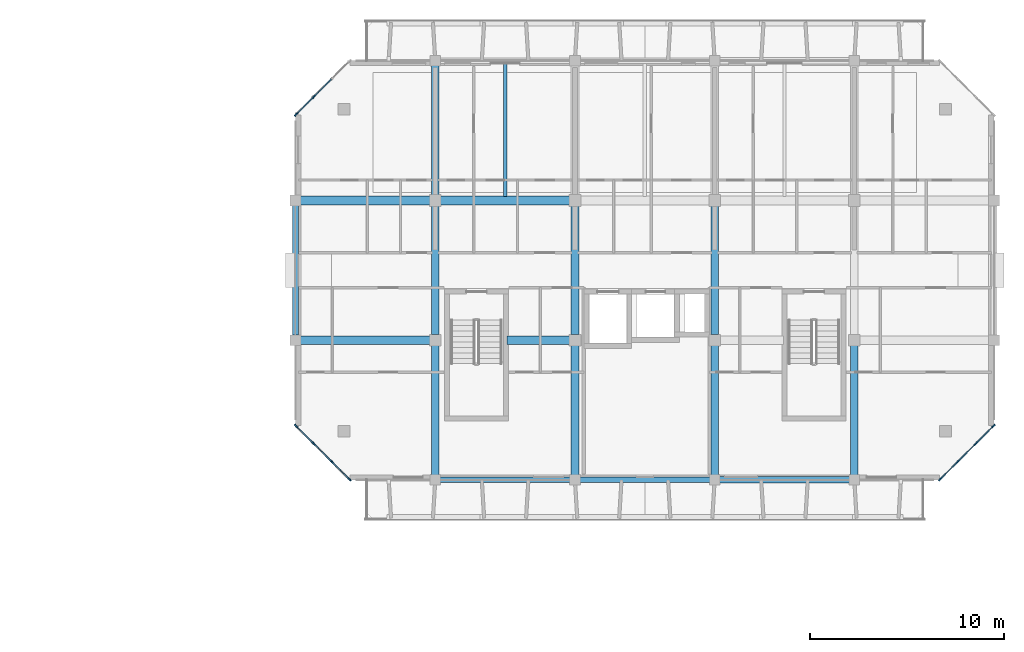
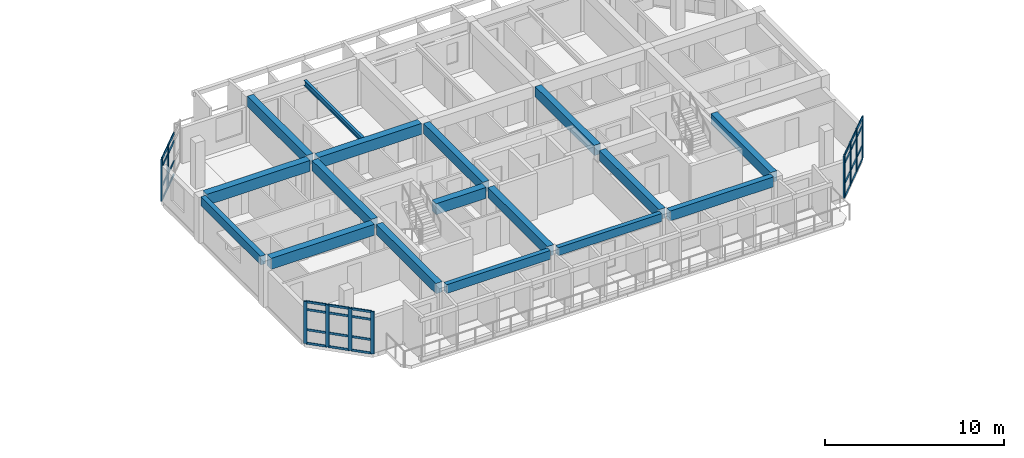
# One storey, part 8 of 43: 42 members, 17 beams, 3 elements without a shape of their own.
"""IFC4 building model written with IfcOpenShell, lengths in metres."""

from ifc_helpers import new_model, si_unit, direction, frame, origin, origin_2d, place, context, subcontext, project, spatial, rectangle, i_section, extrude, material, layer, layer_set, material_profile, profile_set, type_object, element, aggregate, save


model = new_model("IFC4")

# Units and contexts
model_context = context("Model", 3, precision=1e-05, world=origin(), true_north=direction((0.0, 1.0)))
body_context = subcontext(model_context, "Body", "Model", "MODEL_VIEW")
ifc_project = project(units=[si_unit("LENGTHUNIT", "METRE"), si_unit("AREAUNIT", "SQUARE_METRE"), si_unit("VOLUMEUNIT", "CUBIC_METRE"), si_unit("PLANEANGLEUNIT", "RADIAN"), si_unit("MASSUNIT", "GRAM", prefix="KILO")], contexts=[model_context])

# Site, building, storey
site_placement = place(None, origin())
site = spatial("IfcSite", under=ifc_project, at=site_placement, CompositionType="ELEMENT")
building_placement = place(site_placement, origin())
building = spatial("IfcBuilding", under=site, at=building_placement, Name="Ochrevale Crest", CompositionType="ELEMENT")
storey_placement = place(building_placement, frame((0.0, 0.0, 15.0)))
storey = spatial("IfcBuildingStorey", under=building, at=storey_placement, Name="L04", CompositionType="ELEMENT", Elevation=15.0)

# Beams
ifc_material_1 = material(Name="Precast concrete C50/60", Category="concrete")
ifc_material_profile_1 = material_profile(ifc_material_1, rectangle(XDim=0.39990234375, YDim=0.699951171875, at=origin_2d()), Name="PC 400x700")
ifc_profile_set_1 = profile_set([ifc_material_profile_1], Name="Precast concrete C50/60")
beam_type_1 = type_object("IfcBeamType", Name="BM-PC400x700", PredefinedType="BEAM", material=ifc_profile_set_1)
beam_1_placement = place(storey_placement, frame((136.800048828125, 72.2548828125, 2.800048828125), z_axis=(0.0, 1.0, 0.0), x_axis=(-1.0, 0.0, 0.0)))
element("IfcBeam", 1, at=beam_1_placement, inside=storey, type_object=beam_type_1, Name="Block D L04 N-S beam X=136.8", PredefinedType="BEAM", context=body_context, shape_type="SweptSolid", body=[
    extrude(rectangle(XDim=0.39990234375, YDim=0.699951171875, at=origin_2d()), origin(), (0.0, 0.0, 1.0), 6.6650390625),
])
beam_2_placement = place(storey_placement, frame((136.800048828125, 79.47998046875, 2.800048828125), z_axis=(0.0, 1.0, 0.0), x_axis=(-1.0, 0.0, 0.0)))
element("IfcBeam", 2, at=beam_2_placement, inside=storey, type_object=beam_type_1, Name="Block D L04 N-S beam X=136.8", PredefinedType="BEAM", context=body_context, shape_type="SweptSolid", body=[
    extrude(rectangle(XDim=0.39990234375, YDim=0.699951171875, at=origin_2d()), origin(), (0.0, 0.0, 1.0), 6.64013671875),
])
for number, where, z_axis, x_axis, name in (
    (3, (136.800048828125, 86.679931640625, 2.800048828125), (0.0, 1.0, 0.0), (-1.0, 0.0, 0.0), "Block D L04 N-S beam X=136.8"),
    (4, (144.0, 72.2548828125, 2.800048828125), (0.0, 1.0, 0.0), (-1.0, 0.0, 0.0), "Block D L04 N-S beam X=144.0"),
):
    element("IfcBeam", number, at=place(storey_placement, frame(where, z_axis=z_axis, x_axis=x_axis)), inside=storey, type_object=beam_type_1, Name=name, PredefinedType="BEAM", context=body_context, shape_type="SweptSolid", body=[
        extrude(rectangle(XDim=0.39990234375, YDim=0.699951171875, at=origin_2d()), origin(), (0.0, 0.0, 1.0), 6.6650390625),
    ])
beam_3_placement = place(storey_placement, frame((144.0, 79.47998046875, 2.800048828125), z_axis=(0.0, 1.0, 0.0), x_axis=(-1.0, 0.0, 0.0)))
element("IfcBeam", 5, at=beam_3_placement, inside=storey, type_object=beam_type_1, Name="Block D L04 N-S beam X=144.0", PredefinedType="BEAM", context=body_context, shape_type="SweptSolid", body=[
    extrude(rectangle(XDim=0.39990234375, YDim=0.699951171875, at=origin_2d()), origin(), (0.0, 0.0, 1.0), 6.64013671875),
])
beam_4_placement = place(storey_placement, frame((151.199951171875, 72.2548828125, 2.800048828125), z_axis=(0.0, 1.0, 0.0), x_axis=(-1.0, 0.0, 0.0)))
element("IfcBeam", 6, at=beam_4_placement, inside=storey, type_object=beam_type_1, Name="Block D L04 N-S beam X=151.2", PredefinedType="BEAM", context=body_context, shape_type="SweptSolid", body=[
    extrude(rectangle(XDim=0.39990234375, YDim=0.699951171875, at=origin_2d()), origin(), (0.0, 0.0, 1.0), 6.6650390625),
])
beam_5_placement = place(storey_placement, frame((151.199951171875, 79.47998046875, 2.800048828125), z_axis=(0.0, 1.0, 0.0), x_axis=(-1.0, 0.0, 0.0)))
element("IfcBeam", 7, at=beam_5_placement, inside=storey, type_object=beam_type_1, Name="Block D L04 N-S beam X=151.2", PredefinedType="BEAM", context=body_context, shape_type="SweptSolid", body=[
    extrude(rectangle(XDim=0.39990234375, YDim=0.699951171875, at=origin_2d()), origin(), (0.0, 0.0, 1.0), 6.64013671875),
])
beam_6_placement = place(storey_placement, frame((158.39990234375, 72.2548828125, 2.800048828125), z_axis=(0.0, 1.0, 0.0), x_axis=(-1.0, 0.0, 0.0)))
element("IfcBeam", 8, at=beam_6_placement, inside=storey, type_object=beam_type_1, Name="Block D L04 N-S beam X=158.4", PredefinedType="BEAM", context=body_context, shape_type="SweptSolid", body=[
    extrude(rectangle(XDim=0.39990234375, YDim=0.699951171875, at=origin_2d()), origin(), (0.0, 0.0, 1.0), 6.6650390625),
])
ifc_material_2 = material(Name="Concrete C50/60", Category="concrete")
ifc_material_profile_2 = material_profile(ifc_material_2, rectangle(XDim=0.449951171875, YDim=0.75, at=origin_2d()), Name="RC 450x750")
ifc_profile_set_2 = profile_set([ifc_material_profile_2], Name="Concrete C50/60")
beam_type_2 = type_object("IfcBeamType", Name="BM-PG450x750", PredefinedType="USERDEFINED", material=ifc_profile_set_2)
beam_7_placement = place(storey_placement, frame((129.85009765625, 79.199951171875, 2.77490234375), z_axis=(1.0, 0.0, 0.0), x_axis=(0.0, 1.0, 0.0)))
element("IfcBeam", 9, at=beam_7_placement, inside=storey, type_object=beam_type_2, Name="Block D L04 E-W beam Y=79.2", ObjectType="GIRDER", PredefinedType="USERDEFINED", context=body_context, shape_type="SweptSolid", body=[
    extrude(rectangle(XDim=0.449951171875, YDim=0.75, at=origin_2d()), origin(), (0.0, 0.0, 1.0), 6.6748046875),
])
beam_8_placement = place(storey_placement, frame((140.489990234375, 79.199951171875, 2.77490234375), z_axis=(1.0, 0.0, 0.0), x_axis=(0.0, 1.0, 0.0)))
element("IfcBeam", 10, at=beam_8_placement, inside=storey, type_object=beam_type_2, Name="Block D L04 E-W beam Y=79.2", ObjectType="GIRDER", PredefinedType="USERDEFINED", context=body_context, shape_type="SweptSolid", body=[
    extrude(rectangle(XDim=0.449951171875, YDim=0.75, at=origin_2d()), origin(), (0.0, 0.0, 1.0), 3.235107421875),
])
beam_9_placement = place(storey_placement, frame((129.85009765625, 86.39990234375, 2.77490234375), z_axis=(1.0, 0.0, 0.0), x_axis=(0.0, 1.0, 0.0)))
element("IfcBeam", 11, at=beam_9_placement, inside=storey, type_object=beam_type_2, Name="Block D L04 E-W beam Y=86.4", ObjectType="GIRDER", PredefinedType="USERDEFINED", context=body_context, shape_type="SweptSolid", body=[
    extrude(rectangle(XDim=0.449951171875, YDim=0.75, at=origin_2d()), origin(), (0.0, 0.0, 1.0), 6.6748046875),
])
beam_10_placement = place(storey_placement, frame((137.074951171875, 86.39990234375, 2.77490234375), z_axis=(1.0, 0.0, 0.0), x_axis=(0.0, 1.0, 0.0)))
element("IfcBeam", 12, at=beam_10_placement, inside=storey, type_object=beam_type_2, Name="Block D L04 E-W beam Y=86.4", ObjectType="GIRDER", PredefinedType="USERDEFINED", context=body_context, shape_type="SweptSolid", body=[
    extrude(rectangle(XDim=0.449951171875, YDim=0.75, at=origin_2d()), origin(), (0.0, 0.0, 1.0), 6.650146484375),
])
ifc_material_3 = material(Name="Precast concrete C40/50", Category="concrete")
ifc_material_profile_3 = material_profile(ifc_material_3, rectangle(XDim=0.280029296875, YDim=0.550048828125, at=origin_2d()), Name="PC 280x550")
ifc_profile_set_3 = profile_set([ifc_material_profile_3], Name="Precast concrete C40/50")
beam_type_3 = type_object("IfcBeamType", Name="BM-SP280x550", PredefinedType="SPANDREL", material=ifc_profile_set_3)
beam_11_placement = place(storey_placement, frame((144.25, 72.0, 2.875), z_axis=(1.0, 0.0, 0.0), x_axis=(0.0, 1.0, 0.0)))
element("IfcBeam", 13, at=beam_11_placement, inside=storey, type_object=beam_type_3, Name="Block D L04 E-W beam Y=72.0", PredefinedType="SPANDREL", context=body_context, shape_type="SweptSolid", body=[
    extrude(rectangle(XDim=0.280029296875, YDim=0.550048828125, at=origin_2d()), origin(), (0.0, 0.0, 1.0), 6.699951171875),
])
ifc_material_profile_4 = material_profile(ifc_material_3, rectangle(XDim=0.300048828125, YDim=0.60009765625, at=origin_2d()), Name="PC 300x600")
ifc_profile_set_4 = profile_set([ifc_material_profile_4], Name="Precast concrete C40/50")
beam_type_4 = type_object("IfcBeamType", Name="BM-SP300x600", PredefinedType="SPANDREL", material=ifc_profile_set_4)
beam_12_placement = place(storey_placement, frame((137.050048828125, 72.0, 2.85009765625), z_axis=(1.0, 0.0, 0.0), x_axis=(0.0, 1.0, 0.0)))
element("IfcBeam", 14, at=beam_12_placement, inside=storey, type_object=beam_type_4, Name="Block D L04 E-W beam Y=72.0", PredefinedType="SPANDREL", context=body_context, shape_type="SweptSolid", body=[
    extrude(rectangle(XDim=0.300048828125, YDim=0.60009765625, at=origin_2d()), origin(), (0.0, 0.0, 1.0), 6.699951171875),
])
beam_13_placement = place(storey_placement, frame((129.60009765625, 79.455078125, 2.85009765625), z_axis=(0.0, 1.0, 0.0), x_axis=(-1.0, 0.0, 0.0)))
element("IfcBeam", 15, at=beam_13_placement, inside=storey, type_object=beam_type_4, Name="Block D L04 N-S beam X=129.6", PredefinedType="SPANDREL", context=body_context, shape_type="SweptSolid", body=[
    extrude(rectangle(XDim=0.300048828125, YDim=0.60009765625, at=origin_2d()), origin(), (0.0, 0.0, 1.0), 6.68994140625),
])
ifc_material_profile_5 = material_profile(ifc_material_3, rectangle(XDim=0.35009765625, YDim=0.679931640625, at=origin_2d()), Name="PC 350x680")
ifc_profile_set_5 = profile_set([ifc_material_profile_5], Name="Precast concrete C40/50")
beam_type_5 = type_object("IfcBeamType", Name="BM-SP350x680", PredefinedType="SPANDREL", material=ifc_profile_set_5)
beam_14_placement = place(storey_placement, frame((151.449951171875, 72.0, 2.81005859375), z_axis=(1.0, 0.0, 0.0), x_axis=(0.0, 1.0, 0.0)))
element("IfcBeam", 16, at=beam_14_placement, inside=storey, type_object=beam_type_5, Name="Block D L04 E-W beam Y=72.0", PredefinedType="SPANDREL", context=body_context, shape_type="SweptSolid", body=[
    extrude(rectangle(XDim=0.35009765625, YDim=0.679931640625, at=origin_2d()), origin(), (0.0, 0.0, 1.0), 6.699951171875),
])
ifc_material_4 = material(Name="Steel S355", Category="steel")
ifc_material_profile_6 = material_profile(ifc_material_4, i_section(OverallWidth=0.17138671875, OverallDepth=0.355712890625, WebThickness=0.00732421875, FlangeThickness=0.011474609375, FilletRadius=0.011474609375, at=origin_2d()), Name="360UB50.7")
ifc_profile_set_6 = profile_set([ifc_material_profile_6], Name="Steel S355")
beam_type_6 = type_object("IfcBeamType", Name="BM-UB360A", PredefinedType="BEAM", material=ifc_profile_set_6)
beam_15_placement = place(storey_placement, frame((140.39990234375, 86.613037109375, 2.697265625), z_axis=(0.0, 1.0, 0.0), x_axis=(-1.0, 0.0, 0.0)))
element("IfcBeam", 17, at=beam_15_placement, inside=storey, type_object=beam_type_6, Name="Block D L04 composite plank trimmer beam 2", PredefinedType="BEAM", context=body_context, shape_type="SweptSolid", body=[
    extrude(i_section(OverallWidth=0.17138671875, OverallDepth=0.355712890625, WebThickness=0.00732421875, FlangeThickness=0.011474609375, FilletRadius=0.011474609375, at=origin_2d()), origin(), (0.0, 0.0, 1.0), 6.848876953125),
])

# Curtain wall, members
ifc_material_5 = material(Name="Anodised aluminium 6063-T5", Category="aluminium")
ifc_layer_1 = layer(ifc_material_5, 0.14990234375)
ifc_layer_set_1 = layer_set([ifc_layer_1], Name="Anodised aluminium 6063-T5")
curtain_wall_type_1 = type_object("IfcCurtainWallType", Name="CW-WG-280x285", PredefinedType="NOTDEFINED", material=ifc_layer_set_1)
curtain_wall_1_placement = place(storey_placement, origin())
curtain_wall_1 = element("IfcCurtainWall", 18, at=curtain_wall_1_placement, inside=storey, type_object=curtain_wall_type_1, Name="Block D L04 chamfered corner wintergarden curtain wall 2", PredefinedType="NOTDEFINED")
ifc_material_profile_7 = material_profile(ifc_material_5, rectangle(XDim=0.074951171875, YDim=0.219970703125, at=origin_2d()), Name="ALU 75x220")
ifc_profile_set_7 = profile_set([ifc_material_profile_7], Name="Anodised aluminium 6063-T5")
member_type_1 = type_object("IfcMemberType", Name="CW-MUL-75x220", PredefinedType="MULLION", material=ifc_profile_set_7)
member_1_placement = place(storey_placement, frame((162.826416015625, 72.026611328125, 0.0), z_axis=(0.0, 0.0, 1.0), x_axis=(-0.707106781187, 0.707106781187, 0.0)))
member_1 = element("IfcMember", 19, at=member_1_placement, type_object=member_type_1, Name="CW16 mullion 1", PredefinedType="MULLION", context=body_context, shape_type="SweptSolid", body=[
    extrude(rectangle(XDim=0.074951171875, YDim=0.219970703125, at=origin_2d()), origin(), (0.0, 0.0, 1.0), 2.875),
])
member_2_placement = place(storey_placement, frame((163.7333984375, 72.933349609375, 0.0), z_axis=(0.0, 0.0, 1.0), x_axis=(-0.707106781187, 0.707106781187, 0.0)))
member_2 = element("IfcMember", 20, at=member_2_placement, type_object=member_type_1, Name="CW16 mullion 2", PredefinedType="MULLION", context=body_context, shape_type="SweptSolid", body=[
    extrude(rectangle(XDim=0.074951171875, YDim=0.219970703125, at=origin_2d()), origin(), (0.0, 0.0, 1.0), 2.875),
])
member_3_placement = place(storey_placement, frame((164.666748046875, 73.86669921875, 0.0), z_axis=(0.0, 0.0, 1.0), x_axis=(-0.707106781187, 0.707106781187, 0.0)))
member_3 = element("IfcMember", 21, at=member_3_placement, type_object=member_type_1, Name="CW16 mullion 3", PredefinedType="MULLION", context=body_context, shape_type="SweptSolid", body=[
    extrude(rectangle(XDim=0.074951171875, YDim=0.219970703125, at=origin_2d()), origin(), (0.0, 0.0, 1.0), 2.875),
])
member_4_placement = place(storey_placement, frame((165.573486328125, 74.7734375, 0.0), z_axis=(0.0, 0.0, 1.0), x_axis=(-0.707106781187, 0.707106781187, 0.0)))
member_4 = element("IfcMember", 22, at=member_4_placement, type_object=member_type_1, Name="CW16 mullion 4", PredefinedType="MULLION", context=body_context, shape_type="SweptSolid", body=[
    extrude(rectangle(XDim=0.074951171875, YDim=0.219970703125, at=origin_2d()), origin(), (0.0, 0.0, 1.0), 2.875),
])

ifc_layer_2 = layer(ifc_material_5, 0.14990234375)
ifc_layer_set_2 = layer_set([ifc_layer_2], Name="Anodised aluminium 6063-T5")
curtain_wall_type_2 = type_object("IfcCurtainWallType", Name="CW-WG-240x285", PredefinedType="NOTDEFINED", material=ifc_layer_set_2)
curtain_wall_2_placement = place(storey_placement, origin())
curtain_wall_2 = element("IfcCurtainWall", 23, at=curtain_wall_2_placement, inside=storey, type_object=curtain_wall_type_2, Name="Block D L04 chamfered corner wintergarden curtain wall 6", PredefinedType="NOTDEFINED")
member_5_placement = place(storey_placement, frame((130.533447265625, 91.7333984375, 0.0), z_axis=(0.0, 0.0, 1.0), x_axis=(0.707106781187, -0.707106781187, 0.0)))
member_5 = element("IfcMember", 24, at=member_5_placement, type_object=member_type_1, Name="CW15 mullion 3", PredefinedType="MULLION", context=body_context, shape_type="SweptSolid", body=[
    extrude(rectangle(XDim=0.074951171875, YDim=0.219970703125, at=origin_2d()), origin(), (0.0, 0.0, 1.0), 2.875),
])
member_6_placement = place(storey_placement, frame((129.62646484375, 90.826416015625, 0.0), z_axis=(0.0, 0.0, 1.0), x_axis=(0.707106781187, -0.707106781187, 0.0)))
member_6 = element("IfcMember", 25, at=member_6_placement, type_object=member_type_1, Name="CW15 mullion 4", PredefinedType="MULLION", context=body_context, shape_type="SweptSolid", body=[
    extrude(rectangle(XDim=0.074951171875, YDim=0.219970703125, at=origin_2d()), origin(), (0.0, 0.0, 1.0), 2.875),
])

ifc_layer_3 = layer(ifc_material_5, 0.14990234375)
ifc_layer_set_3 = layer_set([ifc_layer_3], Name="Anodised aluminium 6063-T5")
curtain_wall_type_3 = type_object("IfcCurtainWallType", Name="CW-WG-320x285", PredefinedType="NOTDEFINED", material=ifc_layer_set_3)
curtain_wall_3_placement = place(storey_placement, origin())
curtain_wall_3 = element("IfcCurtainWall", 26, at=curtain_wall_3_placement, inside=storey, type_object=curtain_wall_type_3, Name="Block D L04 chamfered corner wintergarden curtain wall 8", PredefinedType="NOTDEFINED")
member_7_placement = place(storey_placement, frame((129.62646484375, 74.7734375, 0.0), z_axis=(0.0, 0.0, 1.0), x_axis=(0.707106781187, 0.707106781187, 0.0)))
member_7 = element("IfcMember", 27, at=member_7_placement, type_object=member_type_1, Name="CW17 mullion 1", PredefinedType="MULLION", context=body_context, shape_type="SweptSolid", body=[
    extrude(rectangle(XDim=0.074951171875, YDim=0.219970703125, at=origin_2d()), origin(), (0.0, 0.0, 1.0), 2.875),
])
member_8_placement = place(storey_placement, frame((130.533447265625, 73.86669921875, 0.0), z_axis=(0.0, 0.0, 1.0), x_axis=(0.707106781187, 0.707106781187, 0.0)))
member_8 = element("IfcMember", 28, at=member_8_placement, type_object=member_type_1, Name="CW17 mullion 2", PredefinedType="MULLION", context=body_context, shape_type="SweptSolid", body=[
    extrude(rectangle(XDim=0.074951171875, YDim=0.219970703125, at=origin_2d()), origin(), (0.0, 0.0, 1.0), 2.875),
])
member_9_placement = place(storey_placement, frame((131.466552734375, 72.933349609375, 0.0), z_axis=(0.0, 0.0, 1.0), x_axis=(0.707106781187, 0.707106781187, 0.0)))
member_9 = element("IfcMember", 29, at=member_9_placement, type_object=member_type_1, Name="CW17 mullion 3", PredefinedType="MULLION", context=body_context, shape_type="SweptSolid", body=[
    extrude(rectangle(XDim=0.074951171875, YDim=0.219970703125, at=origin_2d()), origin(), (0.0, 0.0, 1.0), 2.875),
])
member_10_placement = place(storey_placement, frame((132.37353515625, 72.026611328125, 0.0), z_axis=(0.0, 0.0, 1.0), x_axis=(0.707106781187, 0.707106781187, 0.0)))
member_10 = element("IfcMember", 30, at=member_10_placement, type_object=member_type_1, Name="CW17 mullion 4", PredefinedType="MULLION", context=body_context, shape_type="SweptSolid", body=[
    extrude(rectangle(XDim=0.074951171875, YDim=0.219970703125, at=origin_2d()), origin(), (0.0, 0.0, 1.0), 2.875),
])

# Member
ifc_material_profile_8 = material_profile(ifc_material_5, rectangle(XDim=0.06005859375, YDim=0.14990234375, at=origin_2d()), Name="ALU 60x150")
ifc_profile_set_8 = profile_set([ifc_material_profile_8], Name="Anodised aluminium 6063-T5")
member_type_2 = type_object("IfcMemberType", Name="CW-TRN-60x150", PredefinedType="USERDEFINED", material=ifc_profile_set_8)
member_11_placement = place(storey_placement, frame((162.85302734375, 72.052978515625, 0.030029296875), z_axis=(0.707106781187, 0.707106781187, 0.0), x_axis=(-0.707106781187, 0.707106781187, 0.0)))
member_11 = element("IfcMember", 31, at=member_11_placement, type_object=member_type_2, Name="CW16 transom 1.1", ObjectType="TRANSOM", PredefinedType="USERDEFINED", context=body_context, shape_type="SweptSolid", body=[
    extrude(rectangle(XDim=0.06005859375, YDim=0.14990234375, at=origin_2d()), origin(), (0.0, 0.0, 1.0), 1.20751953125),
])

member_12_placement = place(storey_placement, frame((162.85302734375, 72.052978515625, 0.949951171875), z_axis=(0.707106781187, 0.707106781187, 0.0), x_axis=(-0.707106781187, 0.707106781187, 0.0)))
member_12 = element("IfcMember", 32, at=member_12_placement, type_object=member_type_2, Name="CW16 transom 1.2", ObjectType="TRANSOM", PredefinedType="USERDEFINED", context=body_context, shape_type="SweptSolid", body=[
    extrude(rectangle(XDim=0.06005859375, YDim=0.14990234375, at=origin_2d()), origin(), (0.0, 0.0, 1.0), 1.20751953125),
])

member_13_placement = place(storey_placement, frame((162.85302734375, 72.052978515625, 2.324951171875), z_axis=(0.707106781187, 0.707106781187, 0.0), x_axis=(-0.707106781187, 0.707106781187, 0.0)))
member_13 = element("IfcMember", 33, at=member_13_placement, type_object=member_type_2, Name="CW16 transom 1.3", ObjectType="TRANSOM", PredefinedType="USERDEFINED", context=body_context, shape_type="SweptSolid", body=[
    extrude(rectangle(XDim=0.06005859375, YDim=0.14990234375, at=origin_2d()), origin(), (0.0, 0.0, 1.0), 1.20751953125),
])

member_14_placement = place(storey_placement, frame((162.85302734375, 72.052978515625, 2.844970703125), z_axis=(0.707106781187, 0.707106781187, 0.0), x_axis=(-0.707106781187, 0.707106781187, 0.0)))
member_14 = element("IfcMember", 34, at=member_14_placement, type_object=member_type_2, Name="CW16 transom 1.4", ObjectType="TRANSOM", PredefinedType="USERDEFINED", context=body_context, shape_type="SweptSolid", body=[
    extrude(rectangle(XDim=0.06005859375, YDim=0.14990234375, at=origin_2d()), origin(), (0.0, 0.0, 1.0), 1.20751953125),
])

member_15_placement = place(storey_placement, frame((163.759765625, 72.9599609375, 0.030029296875), z_axis=(0.707204833848, 0.707008714926, 0.0), x_axis=(-0.707008714926, 0.707204833848, 0.0)))
member_15 = element("IfcMember", 35, at=member_15_placement, type_object=member_type_2, Name="CW16 transom 2.1", ObjectType="TRANSOM", PredefinedType="USERDEFINED", context=body_context, shape_type="SweptSolid", body=[
    extrude(rectangle(XDim=0.06005859375, YDim=0.14990234375, at=origin_2d()), origin(), (0.0, 0.0, 1.0), 1.244873046875),
])

member_16_placement = place(storey_placement, frame((163.759765625, 72.9599609375, 0.949951171875), z_axis=(0.707204833848, 0.707008714926, 0.0), x_axis=(-0.707008714926, 0.707204833848, 0.0)))
member_16 = element("IfcMember", 36, at=member_16_placement, type_object=member_type_2, Name="CW16 transom 2.2", ObjectType="TRANSOM", PredefinedType="USERDEFINED", context=body_context, shape_type="SweptSolid", body=[
    extrude(rectangle(XDim=0.06005859375, YDim=0.14990234375, at=origin_2d()), origin(), (0.0, 0.0, 1.0), 1.244873046875),
])

member_17_placement = place(storey_placement, frame((163.759765625, 72.9599609375, 2.324951171875), z_axis=(0.707204833848, 0.707008714926, 0.0), x_axis=(-0.707008714926, 0.707204833848, 0.0)))
member_17 = element("IfcMember", 37, at=member_17_placement, type_object=member_type_2, Name="CW16 transom 2.3", ObjectType="TRANSOM", PredefinedType="USERDEFINED", context=body_context, shape_type="SweptSolid", body=[
    extrude(rectangle(XDim=0.06005859375, YDim=0.14990234375, at=origin_2d()), origin(), (0.0, 0.0, 1.0), 1.244873046875),
])

member_18_placement = place(storey_placement, frame((163.759765625, 72.9599609375, 2.844970703125), z_axis=(0.707204833848, 0.707008714926, 0.0), x_axis=(-0.707008714926, 0.707204833848, 0.0)))
member_18 = element("IfcMember", 38, at=member_18_placement, type_object=member_type_2, Name="CW16 transom 2.4", ObjectType="TRANSOM", PredefinedType="USERDEFINED", context=body_context, shape_type="SweptSolid", body=[
    extrude(rectangle(XDim=0.06005859375, YDim=0.14990234375, at=origin_2d()), origin(), (0.0, 0.0, 1.0), 1.244873046875),
])

member_19_placement = place(storey_placement, frame((164.693115234375, 73.89306640625, 0.030029296875), z_axis=(0.707005686502, 0.70720786142, 0.0), x_axis=(-0.70720786142, 0.707005686502, 0.0)))
member_19 = element("IfcMember", 39, at=member_19_placement, type_object=member_type_2, Name="CW16 transom 3.1", ObjectType="TRANSOM", PredefinedType="USERDEFINED", context=body_context, shape_type="SweptSolid", body=[
    extrude(rectangle(XDim=0.06005859375, YDim=0.14990234375, at=origin_2d()), origin(), (0.0, 0.0, 1.0), 1.20751953125),
])

member_20_placement = place(storey_placement, frame((164.693115234375, 73.89306640625, 0.949951171875), z_axis=(0.707005686502, 0.70720786142, 0.0), x_axis=(-0.70720786142, 0.707005686502, 0.0)))
member_20 = element("IfcMember", 40, at=member_20_placement, type_object=member_type_2, Name="CW16 transom 3.2", ObjectType="TRANSOM", PredefinedType="USERDEFINED", context=body_context, shape_type="SweptSolid", body=[
    extrude(rectangle(XDim=0.06005859375, YDim=0.14990234375, at=origin_2d()), origin(), (0.0, 0.0, 1.0), 1.20751953125),
])

member_21_placement = place(storey_placement, frame((164.693115234375, 73.89306640625, 2.324951171875), z_axis=(0.707005686502, 0.70720786142, 0.0), x_axis=(-0.70720786142, 0.707005686502, 0.0)))
member_21 = element("IfcMember", 41, at=member_21_placement, type_object=member_type_2, Name="CW16 transom 3.3", ObjectType="TRANSOM", PredefinedType="USERDEFINED", context=body_context, shape_type="SweptSolid", body=[
    extrude(rectangle(XDim=0.06005859375, YDim=0.14990234375, at=origin_2d()), origin(), (0.0, 0.0, 1.0), 1.20751953125),
])

member_22_placement = place(storey_placement, frame((164.693115234375, 73.89306640625, 2.844970703125), z_axis=(0.707005686502, 0.70720786142, 0.0), x_axis=(-0.70720786142, 0.707005686502, 0.0)))
member_22 = element("IfcMember", 42, at=member_22_placement, type_object=member_type_2, Name="CW16 transom 3.4", ObjectType="TRANSOM", PredefinedType="USERDEFINED", context=body_context, shape_type="SweptSolid", body=[
    extrude(rectangle(XDim=0.06005859375, YDim=0.14990234375, at=origin_2d()), origin(), (0.0, 0.0, 1.0), 1.20751953125),
])

aggregate(curtain_wall_1, [member_1, member_2, member_3, member_4, member_11, member_12, member_13, member_14, member_15, member_16, member_17, member_18, member_19, member_20, member_21, member_22])

member_23_placement = place(storey_placement, frame((131.440185546875, 92.64013671875, 0.030029296875), z_axis=(-0.707106781187, -0.707106781187, 0.0), x_axis=(0.707106781187, -0.707106781187, 0.0)))
member_23 = element("IfcMember", 43, at=member_23_placement, type_object=member_type_2, Name="CW15 transom 2.1", ObjectType="TRANSOM", PredefinedType="USERDEFINED", context=body_context, shape_type="SweptSolid", body=[
    extrude(rectangle(XDim=0.06005859375, YDim=0.14990234375, at=origin_2d()), origin(), (0.0, 0.0, 1.0), 1.2451171875),
])

member_24_placement = place(storey_placement, frame((131.440185546875, 92.64013671875, 0.949951171875), z_axis=(-0.707106781187, -0.707106781187, 0.0), x_axis=(0.707106781187, -0.707106781187, 0.0)))
member_24 = element("IfcMember", 44, at=member_24_placement, type_object=member_type_2, Name="CW15 transom 2.2", ObjectType="TRANSOM", PredefinedType="USERDEFINED", context=body_context, shape_type="SweptSolid", body=[
    extrude(rectangle(XDim=0.06005859375, YDim=0.14990234375, at=origin_2d()), origin(), (0.0, 0.0, 1.0), 1.2451171875),
])

member_25_placement = place(storey_placement, frame((131.440185546875, 92.64013671875, 2.324951171875), z_axis=(-0.707106781187, -0.707106781187, 0.0), x_axis=(0.707106781187, -0.707106781187, 0.0)))
member_25 = element("IfcMember", 45, at=member_25_placement, type_object=member_type_2, Name="CW15 transom 2.3", ObjectType="TRANSOM", PredefinedType="USERDEFINED", context=body_context, shape_type="SweptSolid", body=[
    extrude(rectangle(XDim=0.06005859375, YDim=0.14990234375, at=origin_2d()), origin(), (0.0, 0.0, 1.0), 1.2451171875),
])

member_26_placement = place(storey_placement, frame((131.440185546875, 92.64013671875, 2.844970703125), z_axis=(-0.707106781187, -0.707106781187, 0.0), x_axis=(0.707106781187, -0.707106781187, 0.0)))
member_26 = element("IfcMember", 46, at=member_26_placement, type_object=member_type_2, Name="CW15 transom 2.4", ObjectType="TRANSOM", PredefinedType="USERDEFINED", context=body_context, shape_type="SweptSolid", body=[
    extrude(rectangle(XDim=0.06005859375, YDim=0.14990234375, at=origin_2d()), origin(), (0.0, 0.0, 1.0), 1.2451171875),
])

member_27_placement = place(storey_placement, frame((130.5068359375, 91.706787109375, 0.030029296875), z_axis=(-0.707106781187, -0.707106781187, 0.0), x_axis=(0.707106781187, -0.707106781187, 0.0)))
member_27 = element("IfcMember", 47, at=member_27_placement, type_object=member_type_2, Name="CW15 transom 3.1", ObjectType="TRANSOM", PredefinedType="USERDEFINED", context=body_context, shape_type="SweptSolid", body=[
    extrude(rectangle(XDim=0.06005859375, YDim=0.14990234375, at=origin_2d()), origin(), (0.0, 0.0, 1.0), 1.20751953125),
])

member_28_placement = place(storey_placement, frame((130.5068359375, 91.706787109375, 0.949951171875), z_axis=(-0.707106781187, -0.707106781187, 0.0), x_axis=(0.707106781187, -0.707106781187, 0.0)))
member_28 = element("IfcMember", 48, at=member_28_placement, type_object=member_type_2, Name="CW15 transom 3.2", ObjectType="TRANSOM", PredefinedType="USERDEFINED", context=body_context, shape_type="SweptSolid", body=[
    extrude(rectangle(XDim=0.06005859375, YDim=0.14990234375, at=origin_2d()), origin(), (0.0, 0.0, 1.0), 1.20751953125),
])

member_29_placement = place(storey_placement, frame((130.5068359375, 91.706787109375, 2.324951171875), z_axis=(-0.707106781187, -0.707106781187, 0.0), x_axis=(0.707106781187, -0.707106781187, 0.0)))
member_29 = element("IfcMember", 49, at=member_29_placement, type_object=member_type_2, Name="CW15 transom 3.3", ObjectType="TRANSOM", PredefinedType="USERDEFINED", context=body_context, shape_type="SweptSolid", body=[
    extrude(rectangle(XDim=0.06005859375, YDim=0.14990234375, at=origin_2d()), origin(), (0.0, 0.0, 1.0), 1.20751953125),
])

member_30_placement = place(storey_placement, frame((130.5068359375, 91.706787109375, 2.844970703125), z_axis=(-0.707106781187, -0.707106781187, 0.0), x_axis=(0.707106781187, -0.707106781187, 0.0)))
member_30 = element("IfcMember", 50, at=member_30_placement, type_object=member_type_2, Name="CW15 transom 3.4", ObjectType="TRANSOM", PredefinedType="USERDEFINED", context=body_context, shape_type="SweptSolid", body=[
    extrude(rectangle(XDim=0.06005859375, YDim=0.14990234375, at=origin_2d()), origin(), (0.0, 0.0, 1.0), 1.20751953125),
])

aggregate(curtain_wall_2, [member_5, member_6, member_23, member_24, member_25, member_26, member_27, member_28, member_29, member_30])

member_31_placement = place(storey_placement, frame((129.653076171875, 74.7470703125, 0.030029296875), z_axis=(0.707005686502, -0.70720786142, 0.0), x_axis=(0.70720786142, 0.707005686502, 0.0)))
member_31 = element("IfcMember", 51, at=member_31_placement, type_object=member_type_2, Name="CW17 transom 1.1", ObjectType="TRANSOM", PredefinedType="USERDEFINED", context=body_context, shape_type="SweptSolid", body=[
    extrude(rectangle(XDim=0.06005859375, YDim=0.14990234375, at=origin_2d()), origin(), (0.0, 0.0, 1.0), 1.20751953125),
])

member_32_placement = place(storey_placement, frame((129.653076171875, 74.7470703125, 0.949951171875), z_axis=(0.707005686502, -0.70720786142, 0.0), x_axis=(0.70720786142, 0.707005686502, 0.0)))
member_32 = element("IfcMember", 52, at=member_32_placement, type_object=member_type_2, Name="CW17 transom 1.2", ObjectType="TRANSOM", PredefinedType="USERDEFINED", context=body_context, shape_type="SweptSolid", body=[
    extrude(rectangle(XDim=0.06005859375, YDim=0.14990234375, at=origin_2d()), origin(), (0.0, 0.0, 1.0), 1.20751953125),
])

member_33_placement = place(storey_placement, frame((129.653076171875, 74.7470703125, 2.324951171875), z_axis=(0.707005686502, -0.70720786142, 0.0), x_axis=(0.70720786142, 0.707005686502, 0.0)))
member_33 = element("IfcMember", 53, at=member_33_placement, type_object=member_type_2, Name="CW17 transom 1.3", ObjectType="TRANSOM", PredefinedType="USERDEFINED", context=body_context, shape_type="SweptSolid", body=[
    extrude(rectangle(XDim=0.06005859375, YDim=0.14990234375, at=origin_2d()), origin(), (0.0, 0.0, 1.0), 1.20751953125),
])

member_34_placement = place(storey_placement, frame((129.653076171875, 74.7470703125, 2.844970703125), z_axis=(0.707005686502, -0.70720786142, 0.0), x_axis=(0.70720786142, 0.707005686502, 0.0)))
member_34 = element("IfcMember", 54, at=member_34_placement, type_object=member_type_2, Name="CW17 transom 1.4", ObjectType="TRANSOM", PredefinedType="USERDEFINED", context=body_context, shape_type="SweptSolid", body=[
    extrude(rectangle(XDim=0.06005859375, YDim=0.14990234375, at=origin_2d()), origin(), (0.0, 0.0, 1.0), 1.20751953125),
])

member_35_placement = place(storey_placement, frame((130.559814453125, 73.840087890625, 0.030029296875), z_axis=(0.707204833848, -0.707008714926, 0.0), x_axis=(0.707008714926, 0.707204833848, 0.0)))
member_35 = element("IfcMember", 55, at=member_35_placement, type_object=member_type_2, Name="CW17 transom 2.1", ObjectType="TRANSOM", PredefinedType="USERDEFINED", context=body_context, shape_type="SweptSolid", body=[
    extrude(rectangle(XDim=0.06005859375, YDim=0.14990234375, at=origin_2d()), origin(), (0.0, 0.0, 1.0), 1.244873046875),
])

member_36_placement = place(storey_placement, frame((130.559814453125, 73.840087890625, 0.949951171875), z_axis=(0.707204833848, -0.707008714926, 0.0), x_axis=(0.707008714926, 0.707204833848, 0.0)))
member_36 = element("IfcMember", 56, at=member_36_placement, type_object=member_type_2, Name="CW17 transom 2.2", ObjectType="TRANSOM", PredefinedType="USERDEFINED", context=body_context, shape_type="SweptSolid", body=[
    extrude(rectangle(XDim=0.06005859375, YDim=0.14990234375, at=origin_2d()), origin(), (0.0, 0.0, 1.0), 1.244873046875),
])

member_37_placement = place(storey_placement, frame((130.559814453125, 73.840087890625, 2.324951171875), z_axis=(0.707204833848, -0.707008714926, 0.0), x_axis=(0.707008714926, 0.707204833848, 0.0)))
member_37 = element("IfcMember", 57, at=member_37_placement, type_object=member_type_2, Name="CW17 transom 2.3", ObjectType="TRANSOM", PredefinedType="USERDEFINED", context=body_context, shape_type="SweptSolid", body=[
    extrude(rectangle(XDim=0.06005859375, YDim=0.14990234375, at=origin_2d()), origin(), (0.0, 0.0, 1.0), 1.244873046875),
])

member_38_placement = place(storey_placement, frame((130.559814453125, 73.840087890625, 2.844970703125), z_axis=(0.707204833848, -0.707008714926, 0.0), x_axis=(0.707008714926, 0.707204833848, 0.0)))
member_38 = element("IfcMember", 58, at=member_38_placement, type_object=member_type_2, Name="CW17 transom 2.4", ObjectType="TRANSOM", PredefinedType="USERDEFINED", context=body_context, shape_type="SweptSolid", body=[
    extrude(rectangle(XDim=0.06005859375, YDim=0.14990234375, at=origin_2d()), origin(), (0.0, 0.0, 1.0), 1.244873046875),
])

member_39_placement = place(storey_placement, frame((131.4931640625, 72.90673828125, 0.030029296875), z_axis=(0.707106781187, -0.707106781187, 0.0), x_axis=(0.707106781187, 0.707106781187, 0.0)))
member_39 = element("IfcMember", 59, at=member_39_placement, type_object=member_type_2, Name="CW17 transom 3.1", ObjectType="TRANSOM", PredefinedType="USERDEFINED", context=body_context, shape_type="SweptSolid", body=[
    extrude(rectangle(XDim=0.06005859375, YDim=0.14990234375, at=origin_2d()), origin(), (0.0, 0.0, 1.0), 1.20751953125),
])

member_40_placement = place(storey_placement, frame((131.4931640625, 72.90673828125, 0.949951171875), z_axis=(0.707106781187, -0.707106781187, 0.0), x_axis=(0.707106781187, 0.707106781187, 0.0)))
member_40 = element("IfcMember", 60, at=member_40_placement, type_object=member_type_2, Name="CW17 transom 3.2", ObjectType="TRANSOM", PredefinedType="USERDEFINED", context=body_context, shape_type="SweptSolid", body=[
    extrude(rectangle(XDim=0.06005859375, YDim=0.14990234375, at=origin_2d()), origin(), (0.0, 0.0, 1.0), 1.20751953125),
])

member_41_placement = place(storey_placement, frame((131.4931640625, 72.90673828125, 2.324951171875), z_axis=(0.707106781187, -0.707106781187, 0.0), x_axis=(0.707106781187, 0.707106781187, 0.0)))
member_41 = element("IfcMember", 61, at=member_41_placement, type_object=member_type_2, Name="CW17 transom 3.3", ObjectType="TRANSOM", PredefinedType="USERDEFINED", context=body_context, shape_type="SweptSolid", body=[
    extrude(rectangle(XDim=0.06005859375, YDim=0.14990234375, at=origin_2d()), origin(), (0.0, 0.0, 1.0), 1.20751953125),
])

member_42_placement = place(storey_placement, frame((131.4931640625, 72.90673828125, 2.844970703125), z_axis=(0.707106781187, -0.707106781187, 0.0), x_axis=(0.707106781187, 0.707106781187, 0.0)))
member_42 = element("IfcMember", 62, at=member_42_placement, type_object=member_type_2, Name="CW17 transom 3.4", ObjectType="TRANSOM", PredefinedType="USERDEFINED", context=body_context, shape_type="SweptSolid", body=[
    extrude(rectangle(XDim=0.06005859375, YDim=0.14990234375, at=origin_2d()), origin(), (0.0, 0.0, 1.0), 1.20751953125),
])

aggregate(curtain_wall_3, [member_7, member_8, member_9, member_10, member_31, member_32, member_33, member_34, member_35, member_36, member_37, member_38, member_39, member_40, member_41, member_42])

save(model, "model.ifc")
